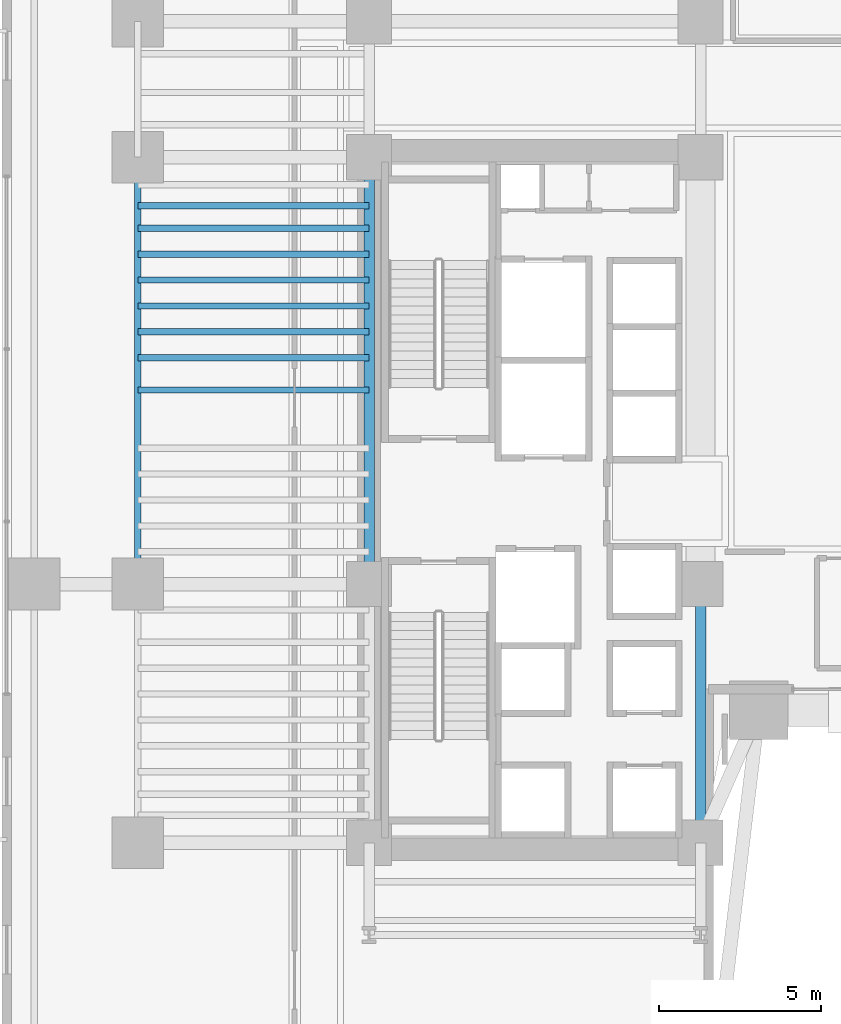
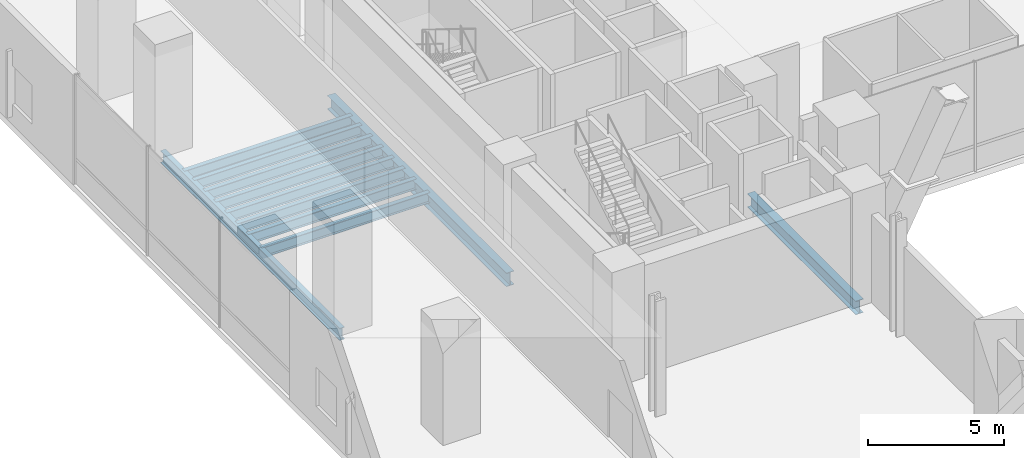
# One storey, part 5 of 39: 11 beams.
"""IFC4 building model written with IfcOpenShell, lengths in metres."""

from ifc_helpers import new_model, si_unit, direction, frame, origin, origin_2d, place, context, subcontext, project, spatial, i_section, extrude, source, transform, mapped, material, material_profile, profile_set, type_object, element, save


model = new_model("IFC4")

# Units and contexts
model_context = context("Model", 3, precision=1e-05, world=origin(), true_north=direction((0.0, 1.0)))
body_context = subcontext(model_context, "Body", "Model", "MODEL_VIEW")
ifc_project = project(units=[si_unit("LENGTHUNIT", "METRE"), si_unit("AREAUNIT", "SQUARE_METRE"), si_unit("VOLUMEUNIT", "CUBIC_METRE"), si_unit("PLANEANGLEUNIT", "RADIAN"), si_unit("MASSUNIT", "GRAM", prefix="KILO")], contexts=[model_context])

# Site, building, storey
site_placement = place(None, origin())
site = spatial("IfcSite", under=ifc_project, at=site_placement, CompositionType="ELEMENT")
building_placement = place(site_placement, origin())
building = spatial("IfcBuilding", under=site, at=building_placement, Name="Valdorenza Pilgrim Sanctuary Tower", CompositionType="ELEMENT")
storey_placement = place(building_placement, frame((0.0, 0.0, 10.39990234375)))
storey = spatial("IfcBuildingStorey", under=building, at=storey_placement, Name="L02", CompositionType="ELEMENT", Elevation=10.39990234375)

# Beams
ifc_material = material(Name="Steel ASTM A992 Grade 50", Category="steel")
ifc_material_profile_1 = material_profile(ifc_material, i_section(OverallWidth=0.323974609375, OverallDepth=0.611083984375, WebThickness=0.0126953125, FlangeThickness=0.01904296875, at=origin_2d()), Name="W24X104")
ifc_profile_set_1 = profile_set([ifc_material_profile_1], Name="Steel ASTM A992 Grade 50")
beam_type_1 = type_object("IfcBeamType", Name="STR-BM-GRD-W24B", PredefinedType="BEAM", material=ifc_profile_set_1)
shared_shape_1 = source(origin(), body_context, "Body", "SweptSolid", [
    extrude(i_section(OverallWidth=0.323974609375, OverallDepth=0.611083984375, WebThickness=0.0126953125, FlangeThickness=0.01904296875, at=origin_2d()), origin(), (0.0, 0.0, 1.0), 8.0),
])
beam_1_placement = place(storey_placement, frame((-12.39990234375, -10.60009765625, -0.58544921875), z_axis=(0.0, 1.0, 0.0), x_axis=(-1.0, 0.0, 0.0)))
element("IfcBeam", 1, at=beam_1_placement, inside=storey, type_object=beam_type_1, Name="L02 Core Tie Girder CA-E-S1M0", PredefinedType="BEAM", context=body_context, shape_type="MappedRepresentation", body=[
    mapped(shared_shape_1, transform((0.0, 0.0, 0.0), x_axis=(1.0, 0.0, 0.0), y_axis=(0.0, 1.0, 0.0), z_axis=(0.0, 0.0, 1.0), scale=1.0)),
])
ifc_material_profile_2 = material_profile(ifc_material, i_section(OverallWidth=0.214111328125, OverallDepth=0.549072265625, WebThickness=0.0146484375, FlangeThickness=0.023681640625, at=origin_2d()), Name="W21X93")
ifc_profile_set_2 = profile_set([ifc_material_profile_2], Name="Steel ASTM A992 Grade 50")
beam_type_2 = type_object("IfcBeamType", Name="STR-BM-SPN-W21A", PredefinedType="SPANDREL", material=ifc_profile_set_2)
shared_shape_2 = source(origin(), body_context, "Body", "SweptSolid", [
    extrude(i_section(OverallWidth=0.214111328125, OverallDepth=0.549072265625, WebThickness=0.0146484375, FlangeThickness=0.023681640625, at=origin_2d()), origin(), (0.0, 0.0, 1.0), 13.2001953125),
])
beam_2_placement = place(storey_placement, frame((-29.800048828125, -2.60009765625, -0.554443359375), z_axis=(0.0, 1.0, 0.0), x_axis=(-1.0, 0.0, 0.0)))
element("IfcBeam", 2, at=beam_2_placement, inside=storey, type_object=beam_type_2, Name="L02 Spandrel Beam WA-W-M0N1", PredefinedType="SPANDREL", context=body_context, shape_type="MappedRepresentation", body=[
    mapped(shared_shape_2, transform((0.0, 0.0, 0.0), x_axis=(1.0, 0.0, 0.0), y_axis=(0.0, 1.0, 0.0), z_axis=(0.0, 0.0, 1.0), scale=1.0)),
])
shared_shape_3 = source(origin(), body_context, "Body", "SweptSolid", [
    extrude(i_section(OverallWidth=0.323974609375, OverallDepth=0.611083984375, WebThickness=0.0126953125, FlangeThickness=0.01904296875, at=origin_2d()), origin(), (0.0, 0.0, 1.0), 13.2001953125),
])
beam_3_placement = place(storey_placement, frame((-22.64990234375, -2.60009765625, -0.58544921875), z_axis=(0.0, 1.0, 0.0), x_axis=(-1.0, 0.0, 0.0)))
element("IfcBeam", 3, at=beam_3_placement, inside=storey, type_object=beam_type_1, Name="L02 Core Tie Girder CA-W-M0N1", PredefinedType="BEAM", context=body_context, shape_type="MappedRepresentation", body=[
    mapped(shared_shape_3, transform((0.0, 0.0, 0.0), x_axis=(1.0, 0.0, 0.0), y_axis=(0.0, 1.0, 0.0), z_axis=(0.0, 0.0, 1.0), scale=1.0)),
])
ifc_material_profile_3 = material_profile(ifc_material, i_section(OverallWidth=0.193115234375, OverallDepth=0.466064453125, WebThickness=0.011474609375, FlangeThickness=0.01904296875, at=origin_2d()), Name="W18X65")
ifc_profile_set_3 = profile_set([ifc_material_profile_3], Name="Steel ASTM A992 Grade 50")
beam_type_3 = type_object("IfcBeamType", Name="STR-BM-JST-W18A", PredefinedType="JOIST", material=ifc_profile_set_3)
shared_shape_4 = source(origin(), body_context, "Body", "SweptSolid", [
    extrude(i_section(OverallWidth=0.193115234375, OverallDepth=0.466064453125, WebThickness=0.011474609375, FlangeThickness=0.01904296875, at=origin_2d()), origin(), (0.0, 0.0, 1.0), 7.150146484375),
])
for number, where, z_axis, x_axis, name in (
    (4, (-29.800048828125, 3.39990234375, -0.512939453125), (1.0, 0.0, 0.0), (0.0, 1.0, 0.0), "L02 Composite Floor Joist JST-WA-15"),
    (5, (-29.800048828125, 4.39990234375, -0.512939453125), (1.0, 0.0, 0.0), (0.0, 1.0, 0.0), "L02 Composite Floor Joist JST-WA-16"),
    (6, (-29.800048828125, 5.199951171875, -0.512939453125), (1.0, 0.0, 0.0), (0.0, 1.0, 0.0), "L02 Composite Floor Joist JST-WA-17"),
    (7, (-29.800048828125, 6.0, -0.512939453125), (1.0, 0.0, 0.0), (0.0, 1.0, 0.0), "L02 Composite Floor Joist JST-WA-18"),
    (8, (-29.800048828125, 6.800048828125, -0.512939453125), (1.0, 0.0, 0.0), (0.0, 1.0, 0.0), "L02 Composite Floor Joist JST-WA-19"),
    (9, (-29.800048828125, 7.60009765625, -0.512939453125), (1.0, 0.0, 0.0), (0.0, 1.0, 0.0), "L02 Composite Floor Joist JST-WA-20"),
    (10, (-29.800048828125, 8.39990234375, -0.512939453125), (1.0, 0.0, 0.0), (0.0, 1.0, 0.0), "L02 Composite Floor Joist JST-WA-21"),
    (11, (-29.800048828125, 9.10009765625, -0.512939453125), (1.0, 0.0, 0.0), (0.0, 1.0, 0.0), "L02 Composite Floor Joist JST-WA-22"),
):
    element("IfcBeam", number, at=place(storey_placement, frame(where, z_axis=z_axis, x_axis=x_axis)), inside=storey, type_object=beam_type_3, Name=name, PredefinedType="JOIST", context=body_context, shape_type="MappedRepresentation", body=[
        mapped(shared_shape_4, transform((0.0, 0.0, 0.0), x_axis=(1.0, 0.0, 0.0), y_axis=(0.0, 1.0, 0.0), z_axis=(0.0, 0.0, 1.0), scale=1.0)),
    ])

save(model, "model.ifc")
